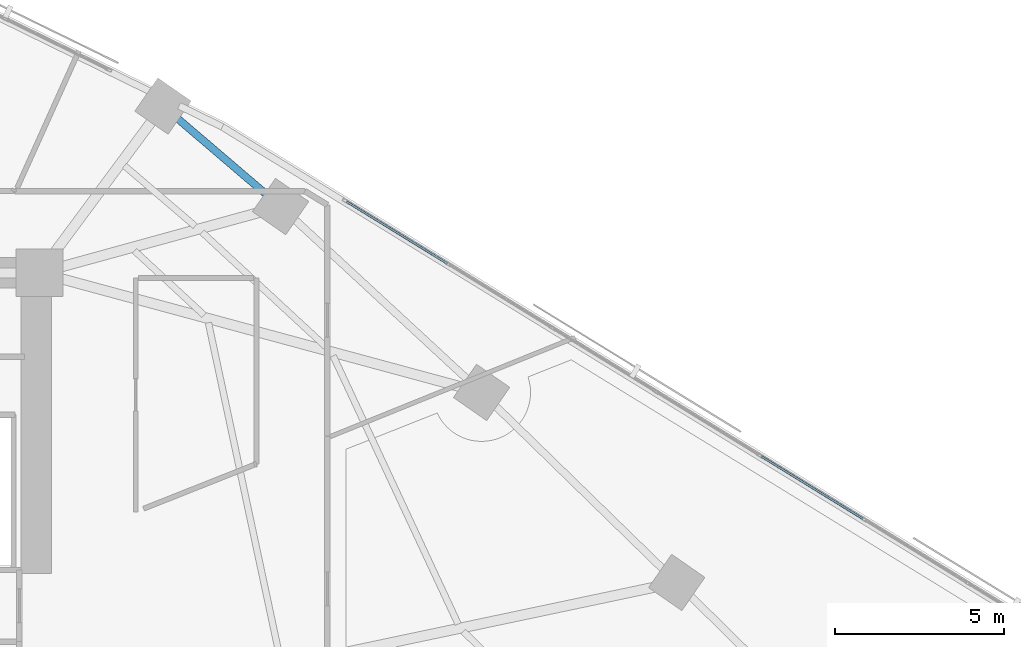
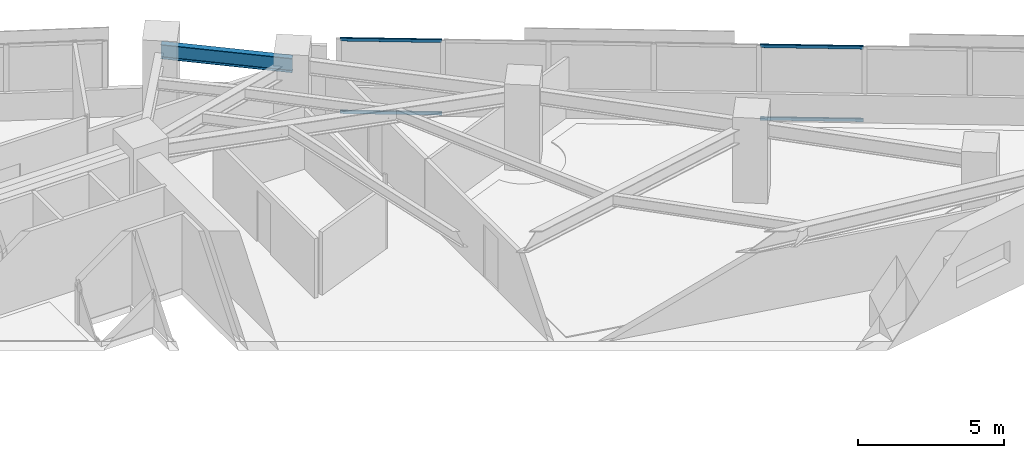
# One storey, part 7 of 20: 4 members, 1 beam, 1 element without a shape of its own.
"""IFC4 building model written with IfcOpenShell, lengths in metres."""

from ifc_helpers import new_model, si_unit, direction, frame, origin, origin_2d, place, context, subcontext, project, spatial, hollow_rectangle, i_section, extrude, material, material_profile, profile_set, type_object, element, aggregate, save


model = new_model("IFC4")

# Units and contexts
model_context = context("Model", 3, precision=1e-05, world=origin(), true_north=direction((0.0, 1.0)))
body_context = subcontext(model_context, "Body", "Model", "MODEL_VIEW")
ifc_project = project(units=[si_unit("LENGTHUNIT", "METRE"), si_unit("AREAUNIT", "SQUARE_METRE"), si_unit("VOLUMEUNIT", "CUBIC_METRE"), si_unit("PLANEANGLEUNIT", "RADIAN"), si_unit("MASSUNIT", "GRAM", prefix="KILO")], contexts=[model_context])

# Site, building, storey
site_placement = place(None, origin())
site = spatial("IfcSite", under=ifc_project, at=site_placement, CompositionType="ELEMENT")
building_placement = place(site_placement, origin())
building = spatial("IfcBuilding", under=site, at=building_placement, Name="Narakoshi Arena Tower", CompositionType="ELEMENT")
storey_placement = place(building_placement, frame((0.0, 0.0, 124.5)))
storey = spatial("IfcBuildingStorey", under=building, at=storey_placement, Name="L33", CompositionType="ELEMENT", Elevation=124.5)

# Beam
ifc_material_1 = material(Name="Structural steel S355J2", Category="steel")
ifc_material_profile_1 = material_profile(ifc_material_1, i_section(OverallWidth=0.219970703125, OverallDepth=0.60009765625, WebThickness=0.011962890625, FlangeThickness=0.01904296875, FilletRadius=0.02392578125, at=origin_2d()), Name="IPE600")
ifc_profile_set_1 = profile_set([ifc_material_profile_1], Name="Structural steel S355J2")
beam_type = type_object("IfcBeamType", Name="BM-EDGE-600", PredefinedType="BEAM", material=ifc_profile_set_1)
beam_placement = place(storey_placement, frame((92.68994140625, 58.462890625, 2.800048828125), z_axis=(-0.760410417533, 0.64944283575, 0.0), x_axis=(-0.64944283575, -0.760410417533, 0.0)))
element("IfcBeam", 1, at=beam_placement, inside=storey, type_object=beam_type, Name="L33 Perimeter Edge Girder 07", PredefinedType="BEAM", context=body_context, shape_type="SweptSolid", body=[
    extrude(i_section(OverallWidth=0.219970703125, OverallDepth=0.60009765625, WebThickness=0.011962890625, FlangeThickness=0.01904296875, FilletRadius=0.02392578125, at=origin_2d()), origin(), (0.0, 0.0, 1.0), 4.58056640625),
])

# Curtain wall, members
ifc_material_2 = material(Name="Anodised bronze aluminium 6063-T6", Category="aluminium")
curtain_wall_type = type_object("IfcCurtainWallType", Name="CW-HYP-LOW", PredefinedType="NOTDEFINED", material=ifc_material_2)
curtain_wall_placement = place(storey_placement, origin())
curtain_wall = element("IfcCurtainWall", 2, at=curtain_wall_placement, inside=storey, type_object=curtain_wall_type, Name="L33 Folded Hypotenuse Curtain Wall 1-1", PredefinedType="NOTDEFINED")
ifc_material_profile_2 = material_profile(ifc_material_2, hollow_rectangle(XDim=0.06494140625, YDim=0.1298828125, WallThickness=0.00390625, OuterFilletRadius=0.0048828125, at=origin_2d()), Name="TRN130x65x4")
ifc_profile_set_2 = profile_set([ifc_material_profile_2], Name="Anodised bronze aluminium 6063-T6")
member_type = type_object("IfcMemberType", Name="MEM-TRN-130", PredefinedType="USERDEFINED", material=ifc_profile_set_2)
member_1_placement = place(storey_placement, frame((109.931884765625, 49.218017578125, 0.032470703125), z_axis=(-0.852103699909, 0.523372988032, 0.0), x_axis=(-0.523372988032, -0.852103699909, 0.0)))
member_1 = element("IfcMember", 3, at=member_1_placement, type_object=member_type, Name="CW-01 transom 4.1", ObjectType="TRANSOM", PredefinedType="USERDEFINED", context=body_context, shape_type="SweptSolid", body=[
    extrude(hollow_rectangle(XDim=0.06494140625, YDim=0.1298828125, WallThickness=0.00390625, OuterFilletRadius=0.0048828125, at=origin_2d()), origin(), (0.0, 0.0, 1.0), 3.535888671875),
])
member_2_placement = place(storey_placement, frame((109.931884765625, 49.218017578125, 3.0673828125), z_axis=(-0.852103699909, 0.523372988032, 0.0), x_axis=(-0.523372988032, -0.852103699909, 0.0)))
member_2 = element("IfcMember", 4, at=member_2_placement, type_object=member_type, Name="CW-01 transom 4.2", ObjectType="TRANSOM", PredefinedType="USERDEFINED", context=body_context, shape_type="SweptSolid", body=[
    extrude(hollow_rectangle(XDim=0.06494140625, YDim=0.1298828125, WallThickness=0.00390625, OuterFilletRadius=0.0048828125, at=origin_2d()), origin(), (0.0, 0.0, 1.0), 3.535888671875),
])
member_3_placement = place(storey_placement, frame((97.624267578125, 56.777099609375, 0.032470703125), z_axis=(-0.852089324923, 0.52339639123, 0.0), x_axis=(-0.52339639123, -0.852089324923, 0.0)))
member_3 = element("IfcMember", 5, at=member_3_placement, type_object=member_type, Name="CW-01 transom 8.1", ObjectType="TRANSOM", PredefinedType="USERDEFINED", context=body_context, shape_type="SweptSolid", body=[
    extrude(hollow_rectangle(XDim=0.06494140625, YDim=0.1298828125, WallThickness=0.00390625, OuterFilletRadius=0.0048828125, at=origin_2d()), origin(), (0.0, 0.0, 1.0), 3.498291015625),
])
member_4_placement = place(storey_placement, frame((97.624267578125, 56.777099609375, 3.0673828125), z_axis=(-0.852089324923, 0.52339639123, 0.0), x_axis=(-0.52339639123, -0.852089324923, 0.0)))
member_4 = element("IfcMember", 6, at=member_4_placement, type_object=member_type, Name="CW-01 transom 8.2", ObjectType="TRANSOM", PredefinedType="USERDEFINED", context=body_context, shape_type="SweptSolid", body=[
    extrude(hollow_rectangle(XDim=0.06494140625, YDim=0.1298828125, WallThickness=0.00390625, OuterFilletRadius=0.0048828125, at=origin_2d()), origin(), (0.0, 0.0, 1.0), 3.498291015625),
])
aggregate(curtain_wall, [member_1, member_2, member_3, member_4])

save(model, "model.ifc")
